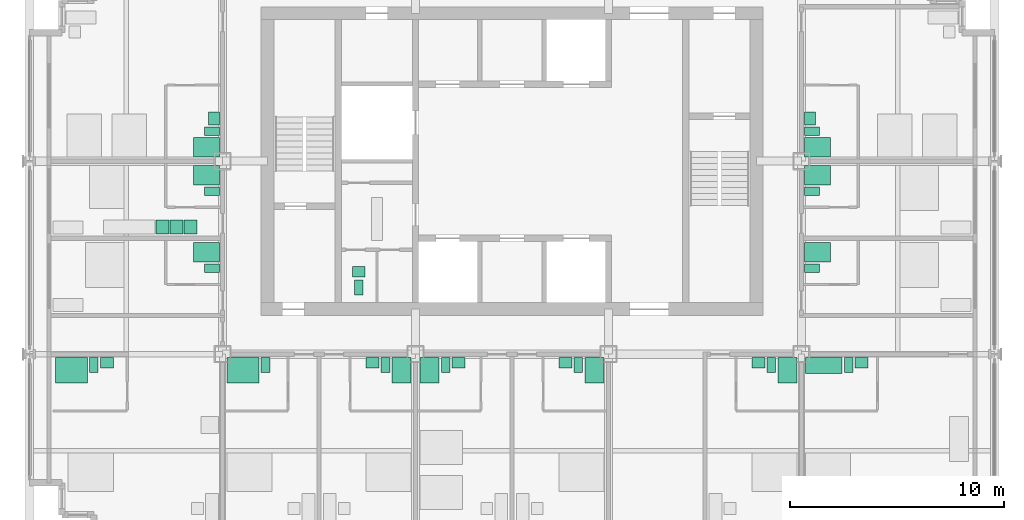
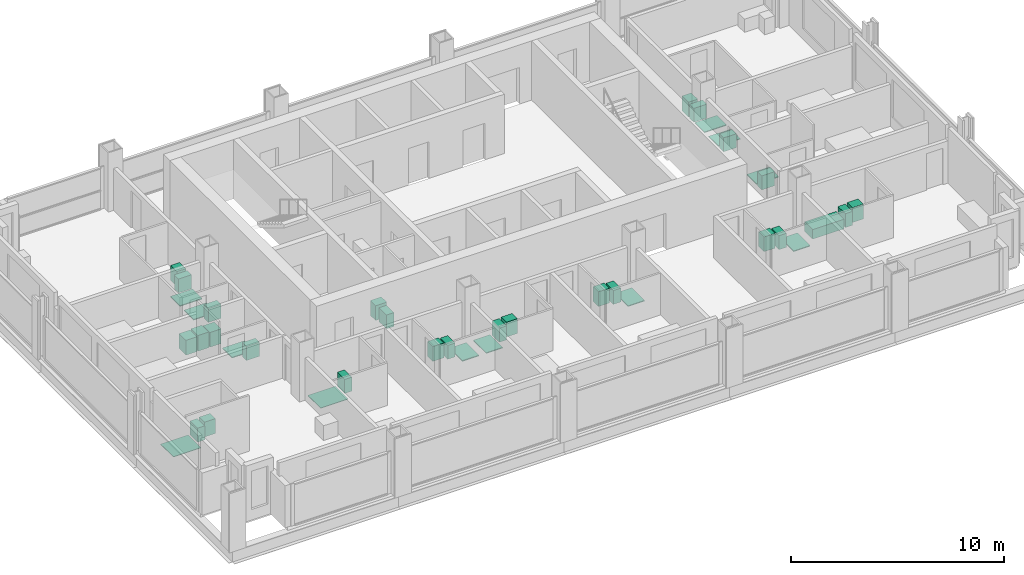
# One storey, part 13 of 14: 36 sanitary terminals, 3 electric appliances.
"""IFC4 building model written with IfcOpenShell, lengths in metres."""

from ifc_helpers import new_model, si_unit, direction, frame, origin, origin_2d, place, context, subcontext, project, spatial, rectangle, extrude, element, save


model = new_model("IFC4")

# Units and contexts
model_context = context("Model", 3, precision=1e-05, world=origin(), true_north=direction((0.0, 1.0)))
body_context = subcontext(model_context, "Body", "Model", "MODEL_VIEW")
ifc_project = project(units=[si_unit("LENGTHUNIT", "METRE"), si_unit("AREAUNIT", "SQUARE_METRE"), si_unit("VOLUMEUNIT", "CUBIC_METRE"), si_unit("PLANEANGLEUNIT", "RADIAN"), si_unit("MASSUNIT", "GRAM", prefix="KILO")], contexts=[model_context])

# Site, building, storey
site_placement = place(None, origin())
site = spatial("IfcSite", under=ifc_project, at=site_placement, CompositionType="ELEMENT")
building_placement = place(site_placement, origin())
building = spatial("IfcBuilding", under=site, at=building_placement, Name="Loomwork Tower", CompositionType="ELEMENT")
storey_placement = place(building_placement, frame((0.0, 0.0, 170.60009765625)))
storey = spatial("IfcBuildingStorey", under=building, at=storey_placement, Name="L46", CompositionType="ELEMENT", Elevation=170.60009765625)

# Sanitary terminals
sanitary_terminal_1_placement = place(storey_placement, frame((1.949951171875, 8.25, 0.0), z_axis=(0.0, 0.0, 1.0), x_axis=(1.0, 0.0, 0.0)))
element("IfcSanitaryTerminal", 1, at=sanitary_terminal_1_placement, inside=storey, Name="Roll-in shower floor L46", PredefinedType="SHOWER", context=body_context, shape_type="SweptSolid", body=[
    extrude(rectangle(XDim=1.5, YDim=1.199951171875, at=origin_2d()), origin(), (0.0, 0.0, 1.0), 0.030029296875),
])
sanitary_terminal_2_placement = place(storey_placement, frame((3.0, 8.5, 0.0), z_axis=(0.0, 0.0, 1.0), x_axis=(1.0, 0.0, 0.0)))
element("IfcSanitaryTerminal", 2, at=sanitary_terminal_2_placement, inside=storey, Name="WC L46", PredefinedType="TOILETPAN", context=body_context, shape_type="SweptSolid", body=[
    extrude(rectangle(XDim=0.39990234375, YDim=0.699951171875, at=origin_2d()), origin(), (0.0, 0.0, 1.0), 0.800048828125),
])
sanitary_terminal_3_placement = place(storey_placement, frame((3.60009765625, 8.60009765625, -0.000244140625), z_axis=(0.0, 0.0, 1.0), x_axis=(1.0, 0.0, 0.0)))
element("IfcSanitaryTerminal", 3, at=sanitary_terminal_3_placement, inside=storey, Name="Basin vanity L46", PredefinedType="WASHHANDBASIN", context=body_context, shape_type="SweptSolid", body=[
    extrude(rectangle(XDim=0.60009765625, YDim=0.5, at=origin_2d()), origin(), (0.0, 0.0, 1.0), 0.85009765625),
])
sanitary_terminal_4_placement = place(storey_placement, frame((9.949951171875, 8.25, 0.0), z_axis=(0.0, 0.0, 1.0), x_axis=(1.0, 0.0, 0.0)))
element("IfcSanitaryTerminal", 4, at=sanitary_terminal_4_placement, inside=storey, Name="Roll-in shower floor L46", PredefinedType="SHOWER", context=body_context, shape_type="SweptSolid", body=[
    extrude(rectangle(XDim=1.5, YDim=1.199951171875, at=origin_2d()), origin(), (0.0, 0.0, 1.0), 0.030029296875),
])
sanitary_terminal_5_placement = place(storey_placement, frame((11.0, 8.5, 0.0), z_axis=(0.0, 0.0, 1.0), x_axis=(1.0, 0.0, 0.0)))
element("IfcSanitaryTerminal", 5, at=sanitary_terminal_5_placement, inside=storey, Name="WC L46", PredefinedType="TOILETPAN", context=body_context, shape_type="SweptSolid", body=[
    extrude(rectangle(XDim=0.39990234375, YDim=0.699951171875, at=origin_2d()), origin(), (0.0, 0.0, 1.0), 0.800048828125),
])
sanitary_terminal_6_placement = place(storey_placement, frame((17.35009765625, 8.25, 0.0), z_axis=(0.0, 0.0, 1.0), x_axis=(1.0, 0.0, 0.0)))
element("IfcSanitaryTerminal", 6, at=sanitary_terminal_6_placement, inside=storey, Name="Shower tray L46", PredefinedType="SHOWER", context=body_context, shape_type="SweptSolid", body=[
    extrude(rectangle(XDim=0.89990234375, YDim=1.199951171875, at=origin_2d()), origin(), (0.0, 0.0, 1.0), 0.050048828125),
])
sanitary_terminal_7_placement = place(storey_placement, frame((16.60009765625, 8.5, 0.0), z_axis=(0.0, 0.0, 1.0), x_axis=(1.0, 0.0, 0.0)))
element("IfcSanitaryTerminal", 7, at=sanitary_terminal_7_placement, inside=storey, Name="WC L46", PredefinedType="TOILETPAN", context=body_context, shape_type="SweptSolid", body=[
    extrude(rectangle(XDim=0.39990234375, YDim=0.699951171875, at=origin_2d()), origin(), (0.0, 0.0, 1.0), 0.800048828125),
])
sanitary_terminal_8_placement = place(storey_placement, frame((16.0, 8.60009765625, -0.000244140625), z_axis=(0.0, 0.0, 1.0), x_axis=(1.0, 0.0, 0.0)))
element("IfcSanitaryTerminal", 8, at=sanitary_terminal_8_placement, inside=storey, Name="Basin vanity L46", PredefinedType="WASHHANDBASIN", context=body_context, shape_type="SweptSolid", body=[
    extrude(rectangle(XDim=0.60009765625, YDim=0.5, at=origin_2d()), origin(), (0.0, 0.0, 1.0), 0.85009765625),
])
sanitary_terminal_9_placement = place(storey_placement, frame((18.64990234375, 8.25, 0.0), z_axis=(0.0, 0.0, 1.0), x_axis=(1.0, 0.0, 0.0)))
element("IfcSanitaryTerminal", 9, at=sanitary_terminal_9_placement, inside=storey, Name="Shower tray L46", PredefinedType="SHOWER", context=body_context, shape_type="SweptSolid", body=[
    extrude(rectangle(XDim=0.89990234375, YDim=1.199951171875, at=origin_2d()), origin(), (0.0, 0.0, 1.0), 0.050048828125),
])
sanitary_terminal_10_placement = place(storey_placement, frame((19.39990234375, 8.5, 0.0), z_axis=(0.0, 0.0, 1.0), x_axis=(1.0, 0.0, 0.0)))
element("IfcSanitaryTerminal", 10, at=sanitary_terminal_10_placement, inside=storey, Name="WC L46", PredefinedType="TOILETPAN", context=body_context, shape_type="SweptSolid", body=[
    extrude(rectangle(XDim=0.39990234375, YDim=0.699951171875, at=origin_2d()), origin(), (0.0, 0.0, 1.0), 0.800048828125),
])
sanitary_terminal_11_placement = place(storey_placement, frame((20.0, 8.60009765625, -0.000244140625), z_axis=(0.0, 0.0, 1.0), x_axis=(1.0, 0.0, 0.0)))
element("IfcSanitaryTerminal", 11, at=sanitary_terminal_11_placement, inside=storey, Name="Basin vanity L46", PredefinedType="WASHHANDBASIN", context=body_context, shape_type="SweptSolid", body=[
    extrude(rectangle(XDim=0.60009765625, YDim=0.5, at=origin_2d()), origin(), (0.0, 0.0, 1.0), 0.85009765625),
])
sanitary_terminal_12_placement = place(storey_placement, frame((26.35009765625, 8.25, 0.0), z_axis=(0.0, 0.0, 1.0), x_axis=(1.0, 0.0, 0.0)))
element("IfcSanitaryTerminal", 12, at=sanitary_terminal_12_placement, inside=storey, Name="Shower tray L46", PredefinedType="SHOWER", context=body_context, shape_type="SweptSolid", body=[
    extrude(rectangle(XDim=0.89990234375, YDim=1.199951171875, at=origin_2d()), origin(), (0.0, 0.0, 1.0), 0.050048828125),
])
sanitary_terminal_13_placement = place(storey_placement, frame((25.60009765625, 8.5, 0.0), z_axis=(0.0, 0.0, 1.0), x_axis=(1.0, 0.0, 0.0)))
element("IfcSanitaryTerminal", 13, at=sanitary_terminal_13_placement, inside=storey, Name="WC L46", PredefinedType="TOILETPAN", context=body_context, shape_type="SweptSolid", body=[
    extrude(rectangle(XDim=0.39990234375, YDim=0.699951171875, at=origin_2d()), origin(), (0.0, 0.0, 1.0), 0.800048828125),
])
sanitary_terminal_14_placement = place(storey_placement, frame((25.0, 8.60009765625, -0.000244140625), z_axis=(0.0, 0.0, 1.0), x_axis=(1.0, 0.0, 0.0)))
element("IfcSanitaryTerminal", 14, at=sanitary_terminal_14_placement, inside=storey, Name="Basin vanity L46", PredefinedType="WASHHANDBASIN", context=body_context, shape_type="SweptSolid", body=[
    extrude(rectangle(XDim=0.60009765625, YDim=0.5, at=origin_2d()), origin(), (0.0, 0.0, 1.0), 0.85009765625),
])
sanitary_terminal_15_placement = place(storey_placement, frame((35.35009765625, 8.25, 0.0), z_axis=(0.0, 0.0, 1.0), x_axis=(1.0, 0.0, 0.0)))
element("IfcSanitaryTerminal", 15, at=sanitary_terminal_15_placement, inside=storey, Name="Shower tray L46", PredefinedType="SHOWER", context=body_context, shape_type="SweptSolid", body=[
    extrude(rectangle(XDim=0.89990234375, YDim=1.199951171875, at=origin_2d()), origin(), (0.0, 0.0, 1.0), 0.050048828125),
])
sanitary_terminal_16_placement = place(storey_placement, frame((34.60009765625, 8.5, 0.0), z_axis=(0.0, 0.0, 1.0), x_axis=(1.0, 0.0, 0.0)))
element("IfcSanitaryTerminal", 16, at=sanitary_terminal_16_placement, inside=storey, Name="WC L46", PredefinedType="TOILETPAN", context=body_context, shape_type="SweptSolid", body=[
    extrude(rectangle(XDim=0.39990234375, YDim=0.699951171875, at=origin_2d()), origin(), (0.0, 0.0, 1.0), 0.800048828125),
])
sanitary_terminal_17_placement = place(storey_placement, frame((34.0, 8.60009765625, -0.000244140625), z_axis=(0.0, 0.0, 1.0), x_axis=(1.0, 0.0, 0.0)))
element("IfcSanitaryTerminal", 17, at=sanitary_terminal_17_placement, inside=storey, Name="Basin vanity L46", PredefinedType="WASHHANDBASIN", context=body_context, shape_type="SweptSolid", body=[
    extrude(rectangle(XDim=0.60009765625, YDim=0.5, at=origin_2d()), origin(), (0.0, 0.0, 1.0), 0.85009765625),
])
sanitary_terminal_18_placement = place(storey_placement, frame((37.050048828125, 8.47509765625, 0.0), z_axis=(0.0, 0.0, 1.0), x_axis=(1.0, 0.0, 0.0)))
element("IfcSanitaryTerminal", 18, at=sanitary_terminal_18_placement, inside=storey, Name="Bath L46", PredefinedType="BATH", context=body_context, shape_type="SweptSolid", body=[
    extrude(rectangle(XDim=1.699951171875, YDim=0.75, at=origin_2d()), origin(), (0.0, 0.0, 1.0), 0.550048828125),
])
sanitary_terminal_19_placement = place(storey_placement, frame((38.199951171875, 8.5, 0.0), z_axis=(0.0, 0.0, 1.0), x_axis=(1.0, 0.0, 0.0)))
element("IfcSanitaryTerminal", 19, at=sanitary_terminal_19_placement, inside=storey, Name="WC L46", PredefinedType="TOILETPAN", context=body_context, shape_type="SweptSolid", body=[
    extrude(rectangle(XDim=0.39990234375, YDim=0.699951171875, at=origin_2d()), origin(), (0.0, 0.0, 1.0), 0.800048828125),
])
sanitary_terminal_20_placement = place(storey_placement, frame((38.800048828125, 8.60009765625, -0.000244140625), z_axis=(0.0, 0.0, 1.0), x_axis=(1.0, 0.0, 0.0)))
element("IfcSanitaryTerminal", 20, at=sanitary_terminal_20_placement, inside=storey, Name="Basin vanity L46", PredefinedType="WASHHANDBASIN", context=body_context, shape_type="SweptSolid", body=[
    extrude(rectangle(XDim=0.60009765625, YDim=0.5, at=origin_2d()), origin(), (0.0, 0.0, 1.0), 0.85009765625),
])
sanitary_terminal_21_placement = place(storey_placement, frame((8.25, 13.75, 0.0), z_axis=(0.0, 0.0, 1.0), x_axis=(1.0, 0.0, 0.0)))
element("IfcSanitaryTerminal", 21, at=sanitary_terminal_21_placement, inside=storey, Name="Shower tray L46", PredefinedType="SHOWER", context=body_context, shape_type="SweptSolid", body=[
    extrude(rectangle(XDim=1.199951171875, YDim=0.89990234375, at=origin_2d()), origin(), (0.0, 0.0, 1.0), 0.050048828125),
])
sanitary_terminal_22_placement = place(storey_placement, frame((8.5, 13.0, 0.0), z_axis=(0.0, 0.0, 1.0), x_axis=(1.0, 0.0, 0.0)))
element("IfcSanitaryTerminal", 22, at=sanitary_terminal_22_placement, inside=storey, Name="WC L46", PredefinedType="TOILETPAN", context=body_context, shape_type="SweptSolid", body=[
    extrude(rectangle(XDim=0.699951171875, YDim=0.39990234375, at=origin_2d()), origin(), (0.0, 0.0, 1.0), 0.800048828125),
])
sanitary_terminal_23_placement = place(storey_placement, frame((8.25, 17.35009765625, 0.0), z_axis=(0.0, 0.0, 1.0), x_axis=(1.0, 0.0, 0.0)))
element("IfcSanitaryTerminal", 23, at=sanitary_terminal_23_placement, inside=storey, Name="Shower tray L46", PredefinedType="SHOWER", context=body_context, shape_type="SweptSolid", body=[
    extrude(rectangle(XDim=1.199951171875, YDim=0.89990234375, at=origin_2d()), origin(), (0.0, 0.0, 1.0), 0.050048828125),
])
sanitary_terminal_24_placement = place(storey_placement, frame((8.5, 16.60009765625, 0.0), z_axis=(0.0, 0.0, 1.0), x_axis=(1.0, 0.0, 0.0)))
element("IfcSanitaryTerminal", 24, at=sanitary_terminal_24_placement, inside=storey, Name="WC L46", PredefinedType="TOILETPAN", context=body_context, shape_type="SweptSolid", body=[
    extrude(rectangle(XDim=0.699951171875, YDim=0.39990234375, at=origin_2d()), origin(), (0.0, 0.0, 1.0), 0.800048828125),
])

# Electric appliances
electric_appliance_1_placement = place(storey_placement, frame((7.5, 14.925048828125, -0.000244140625), z_axis=(0.0, 0.0, 1.0), x_axis=(1.0, 0.0, 0.0)))
element("IfcElectricAppliance", 25, at=electric_appliance_1_placement, inside=storey, Name="Refrigerator L46", PredefinedType="REFRIGERATOR", context=body_context, shape_type="SweptSolid", body=[
    extrude(rectangle(XDim=0.60009765625, YDim=0.64990234375, at=origin_2d()), origin(), (0.0, 0.0, 1.0), 0.85009765625),
])
electric_appliance_2_placement = place(storey_placement, frame((6.85009765625, 14.925048828125, 0.0), z_axis=(0.0, 0.0, 1.0), x_axis=(1.0, 0.0, 0.0)))
element("IfcElectricAppliance", 26, at=electric_appliance_2_placement, inside=storey, Name="Two-ring cooktop and oven L46", PredefinedType="ELECTRICCOOKER", context=body_context, shape_type="SweptSolid", body=[
    extrude(rectangle(XDim=0.60009765625, YDim=0.64990234375, at=origin_2d()), origin(), (0.0, 0.0, 1.0), 0.89990234375),
])
electric_appliance_3_placement = place(storey_placement, frame((6.199951171875, 14.925048828125, -0.000244140625), z_axis=(0.0, 0.0, 1.0), x_axis=(1.0, 0.0, 0.0)))
element("IfcElectricAppliance", 27, at=electric_appliance_3_placement, inside=storey, Name="Dishwasher L46", PredefinedType="DISHWASHER", context=body_context, shape_type="SweptSolid", body=[
    extrude(rectangle(XDim=0.60009765625, YDim=0.64990234375, at=origin_2d()), origin(), (0.0, 0.0, 1.0), 0.85009765625),
])

# Sanitary terminals
sanitary_terminal_25_placement = place(storey_placement, frame((8.25, 18.64990234375, 0.0), z_axis=(0.0, 0.0, 1.0), x_axis=(1.0, 0.0, 0.0)))
element("IfcSanitaryTerminal", 28, at=sanitary_terminal_25_placement, inside=storey, Name="Shower tray L46", PredefinedType="SHOWER", context=body_context, shape_type="SweptSolid", body=[
    extrude(rectangle(XDim=1.199951171875, YDim=0.89990234375, at=origin_2d()), origin(), (0.0, 0.0, 1.0), 0.050048828125),
])
sanitary_terminal_26_placement = place(storey_placement, frame((8.5, 19.39990234375, 0.0), z_axis=(0.0, 0.0, 1.0), x_axis=(1.0, 0.0, 0.0)))
element("IfcSanitaryTerminal", 29, at=sanitary_terminal_26_placement, inside=storey, Name="WC L46", PredefinedType="TOILETPAN", context=body_context, shape_type="SweptSolid", body=[
    extrude(rectangle(XDim=0.699951171875, YDim=0.39990234375, at=origin_2d()), origin(), (0.0, 0.0, 1.0), 0.800048828125),
])
sanitary_terminal_27_placement = place(storey_placement, frame((8.60009765625, 20.0, -0.000244140625), z_axis=(0.0, 0.0, 1.0), x_axis=(1.0, 0.0, 0.0)))
element("IfcSanitaryTerminal", 30, at=sanitary_terminal_27_placement, inside=storey, Name="Basin vanity L46", PredefinedType="WASHHANDBASIN", context=body_context, shape_type="SweptSolid", body=[
    extrude(rectangle(XDim=0.5, YDim=0.60009765625, at=origin_2d()), origin(), (0.0, 0.0, 1.0), 0.85009765625),
])
sanitary_terminal_28_placement = place(storey_placement, frame((36.75, 13.75, 0.0), z_axis=(0.0, 0.0, 1.0), x_axis=(1.0, 0.0, 0.0)))
element("IfcSanitaryTerminal", 31, at=sanitary_terminal_28_placement, inside=storey, Name="Shower tray L46", PredefinedType="SHOWER", context=body_context, shape_type="SweptSolid", body=[
    extrude(rectangle(XDim=1.199951171875, YDim=0.89990234375, at=origin_2d()), origin(), (0.0, 0.0, 1.0), 0.050048828125),
])
sanitary_terminal_29_placement = place(storey_placement, frame((36.5, 13.0, 0.0), z_axis=(0.0, 0.0, 1.0), x_axis=(1.0, 0.0, 0.0)))
element("IfcSanitaryTerminal", 32, at=sanitary_terminal_29_placement, inside=storey, Name="WC L46", PredefinedType="TOILETPAN", context=body_context, shape_type="SweptSolid", body=[
    extrude(rectangle(XDim=0.699951171875, YDim=0.39990234375, at=origin_2d()), origin(), (0.0, 0.0, 1.0), 0.800048828125),
])
sanitary_terminal_30_placement = place(storey_placement, frame((36.75, 17.35009765625, 0.0), z_axis=(0.0, 0.0, 1.0), x_axis=(1.0, 0.0, 0.0)))
element("IfcSanitaryTerminal", 33, at=sanitary_terminal_30_placement, inside=storey, Name="Shower tray L46", PredefinedType="SHOWER", context=body_context, shape_type="SweptSolid", body=[
    extrude(rectangle(XDim=1.199951171875, YDim=0.89990234375, at=origin_2d()), origin(), (0.0, 0.0, 1.0), 0.050048828125),
])
sanitary_terminal_31_placement = place(storey_placement, frame((36.5, 16.60009765625, 0.0), z_axis=(0.0, 0.0, 1.0), x_axis=(1.0, 0.0, 0.0)))
element("IfcSanitaryTerminal", 34, at=sanitary_terminal_31_placement, inside=storey, Name="WC L46", PredefinedType="TOILETPAN", context=body_context, shape_type="SweptSolid", body=[
    extrude(rectangle(XDim=0.699951171875, YDim=0.39990234375, at=origin_2d()), origin(), (0.0, 0.0, 1.0), 0.800048828125),
])
sanitary_terminal_32_placement = place(storey_placement, frame((36.75, 18.64990234375, 0.0), z_axis=(0.0, 0.0, 1.0), x_axis=(1.0, 0.0, 0.0)))
element("IfcSanitaryTerminal", 35, at=sanitary_terminal_32_placement, inside=storey, Name="Shower tray L46", PredefinedType="SHOWER", context=body_context, shape_type="SweptSolid", body=[
    extrude(rectangle(XDim=1.199951171875, YDim=0.89990234375, at=origin_2d()), origin(), (0.0, 0.0, 1.0), 0.050048828125),
])
sanitary_terminal_33_placement = place(storey_placement, frame((36.5, 19.39990234375, 0.0), z_axis=(0.0, 0.0, 1.0), x_axis=(1.0, 0.0, 0.0)))
element("IfcSanitaryTerminal", 36, at=sanitary_terminal_33_placement, inside=storey, Name="WC L46", PredefinedType="TOILETPAN", context=body_context, shape_type="SweptSolid", body=[
    extrude(rectangle(XDim=0.699951171875, YDim=0.39990234375, at=origin_2d()), origin(), (0.0, 0.0, 1.0), 0.800048828125),
])
sanitary_terminal_34_placement = place(storey_placement, frame((36.39990234375, 20.0, -0.000244140625), z_axis=(0.0, 0.0, 1.0), x_axis=(1.0, 0.0, 0.0)))
element("IfcSanitaryTerminal", 37, at=sanitary_terminal_34_placement, inside=storey, Name="Basin vanity L46", PredefinedType="WASHHANDBASIN", context=body_context, shape_type="SweptSolid", body=[
    extrude(rectangle(XDim=0.5, YDim=0.60009765625, at=origin_2d()), origin(), (0.0, 0.0, 1.0), 0.85009765625),
])
sanitary_terminal_35_placement = place(storey_placement, frame((15.35009765625, 12.10009765625, 0.0), z_axis=(0.0, 0.0, 1.0), x_axis=(1.0, 0.0, 0.0)))
element("IfcSanitaryTerminal", 38, at=sanitary_terminal_35_placement, inside=storey, Name="WC L46", PredefinedType="TOILETPAN", context=body_context, shape_type="SweptSolid", body=[
    extrude(rectangle(XDim=0.39990234375, YDim=0.699951171875, at=origin_2d()), origin(), (0.0, 0.0, 1.0), 0.800048828125),
])
sanitary_terminal_36_placement = place(storey_placement, frame((15.35009765625, 12.85009765625, -0.000244140625), z_axis=(0.0, 0.0, 1.0), x_axis=(1.0, 0.0, 0.0)))
element("IfcSanitaryTerminal", 39, at=sanitary_terminal_36_placement, inside=storey, Name="Basin L46", PredefinedType="WASHHANDBASIN", context=body_context, shape_type="SweptSolid", body=[
    extrude(rectangle(XDim=0.60009765625, YDim=0.5, at=origin_2d()), origin(), (0.0, 0.0, 1.0), 0.85009765625),
])

save(model, "model.ifc")
